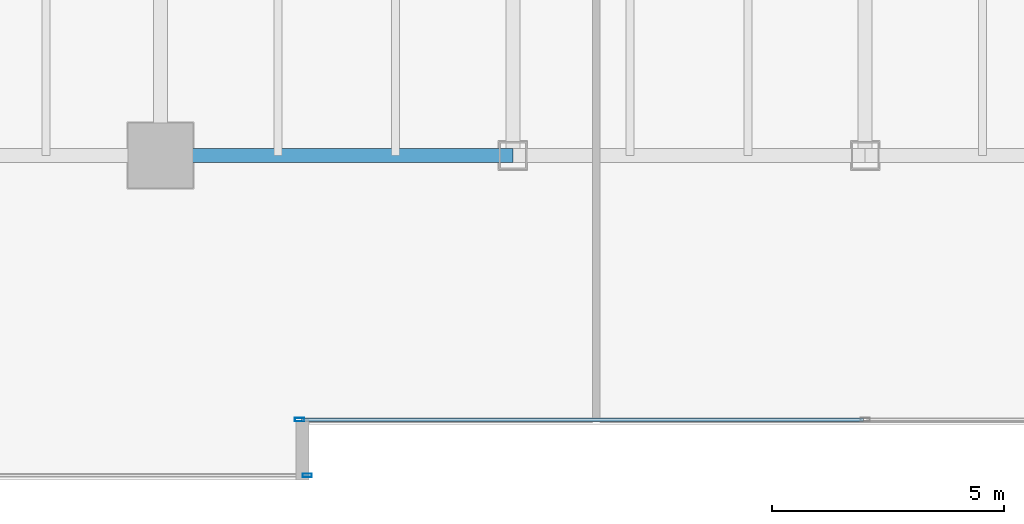
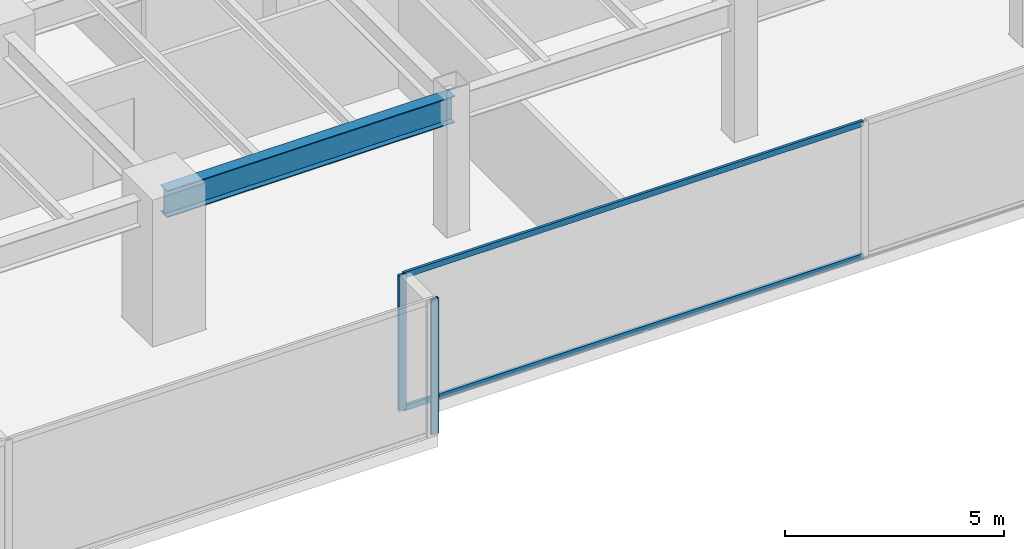
# One storey, part 4 of 37: 4 members, 1 beam, 2 elements without a shape of their own.
"""IFC4 building model written with IfcOpenShell, lengths in metres."""

from ifc_helpers import new_model, si_unit, direction, frame, origin, origin_2d, place, context, subcontext, project, spatial, hollow_rectangle, i_section, extrude, source, transform, mapped, material, layer, layer_set, material_profile, profile_set, type_object, type_shapes, element, aggregate, save


model = new_model("IFC4")

# Units and contexts
model_context = context("Model", 3, precision=1e-05, world=origin(), true_north=direction((0.0, 1.0)))
body_context = subcontext(model_context, "Body", "Model", "MODEL_VIEW")
ifc_project = project(units=[si_unit("LENGTHUNIT", "METRE"), si_unit("AREAUNIT", "SQUARE_METRE"), si_unit("VOLUMEUNIT", "CUBIC_METRE"), si_unit("PLANEANGLEUNIT", "RADIAN"), si_unit("MASSUNIT", "GRAM", prefix="KILO")], contexts=[model_context])

# Site, building, storey
site_placement = place(None, origin())
site = spatial("IfcSite", under=ifc_project, at=site_placement, CompositionType="ELEMENT")
building_placement = place(site_placement, origin())
building = spatial("IfcBuilding", under=site, at=building_placement, Name="Haelvirn Gate Laboratories", CompositionType="ELEMENT")
storey_placement = place(building_placement, frame((0.0, 0.0, 78.5)))
storey = spatial("IfcBuildingStorey", under=building, at=storey_placement, Name="L19", CompositionType="ELEMENT", Elevation=78.5)

# Beam
ifc_material_1 = material(Name="Steel SM355", Category="steel")
ifc_material_profile_1 = material_profile(ifc_material_1, i_section(OverallWidth=0.300048828125, OverallDepth=0.75, WebThickness=0.013916015625, FlangeThickness=0.02392578125, at=origin_2d()), Name="H-750x300x14x24")
ifc_profile_set_1 = profile_set([ifc_material_profile_1], Name="Steel SM355")
beam_type = type_object("IfcBeamType", Name="BM-G-750", PredefinedType="BEAM", material=ifc_profile_set_1)
shared_shape_1 = source(origin(), body_context, "Body", "SweptSolid", [
    extrude(i_section(OverallWidth=0.300048828125, OverallDepth=0.75, WebThickness=0.013916015625, FlangeThickness=0.02392578125, at=origin_2d()), origin(), (0.0, 0.0, 1.0), 7.60009765625),
])
type_shapes(beam_type, [shared_shape_1])
beam_placement = place(storey_placement, frame((22.199951171875, 7.0, 3.405029296875), z_axis=(1.0, 0.0, 0.0), x_axis=(0.0, 1.0, 0.0)))
element("IfcBeam", 1, at=beam_placement, inside=storey, type_object=beam_type, Name="L19 Primary Girder Y7.0 (22.2-29.8)", PredefinedType="BEAM", context=body_context, shape_type="MappedRepresentation", body=[
    mapped(shared_shape_1, transform((0.0, 0.0, 0.0), scale=1.0)),
])

# Curtain wall, member
ifc_material_2 = material(Name="Anodised bronze unitised aluminium & triple low-E glass", Category="aluminium")
ifc_layer = layer(ifc_material_2, 0.18408203125, Name="CW-SYS-2")
ifc_layer_set = layer_set([ifc_layer], Name="Anodised bronze unitised aluminium & triple low-E glass")
curtain_wall_type = type_object("IfcCurtainWallType", Name="CW-SYS-2", PredefinedType="NOTDEFINED", material=ifc_layer_set)
curtain_wall_1_placement = place(storey_placement, origin())
curtain_wall_1 = element("IfcCurtainWall", 2, at=curtain_wall_1_placement, inside=storey, type_object=curtain_wall_type, Name="L19 Unitised Curtain Wall CW-L19-P0-E00-1", PredefinedType="NOTDEFINED")
ifc_material_3 = material(Name="Extruded aluminium 6063-T6 (anodised bronze)", Category="aluminium")
ifc_material_profile_2 = material_profile(ifc_material_3, hollow_rectangle(XDim=0.074951171875, YDim=0.199951171875, WallThickness=0.0048828125, at=origin_2d()), Name="CWM-200x75x5")
ifc_profile_set_2 = profile_set([ifc_material_profile_2], Name="Extruded aluminium 6063-T6 (anodised bronze)")
member_type_1 = type_object("IfcMemberType", Name="CWM-T200", PredefinedType="MULLION", material=ifc_profile_set_2)
shared_shape_2 = source(origin(), body_context, "Body", "SweptSolid", [
    extrude(hollow_rectangle(XDim=0.074951171875, YDim=0.199951171875, WallThickness=0.0048828125, at=origin_2d()), origin(), (0.0, 0.0, 1.0), 3.780029296875),
])
type_shapes(member_type_1, [shared_shape_2])
member_1_placement = place(storey_placement, frame((25.362548828125, 0.10009765625, 0.0), z_axis=(0.0, 0.0, 1.0), x_axis=(0.0, 1.0, 0.0)))
member_1 = element("IfcMember", 3, at=member_1_placement, type_object=member_type_1, Name="CW2 mullion 3", PredefinedType="MULLION", context=body_context, shape_type="MappedRepresentation", body=[
    mapped(shared_shape_2, transform((0.0, 0.0, 0.0), scale=1.0)),
])
aggregate(curtain_wall_1, [member_1])

# Curtain wall, members
curtain_wall_2_placement = place(storey_placement, origin())
curtain_wall_2 = element("IfcCurtainWall", 4, at=curtain_wall_2_placement, inside=storey, type_object=curtain_wall_type, Name="L19 Unitised Curtain Wall CW-L19-P0-E02-1", PredefinedType="NOTDEFINED")
member_2_placement = place(storey_placement, frame((25.197509765625, 1.300048828125, 0.0), z_axis=(0.0, 0.0, 1.0), x_axis=(0.0, 1.0, 0.0)))
member_2 = element("IfcMember", 5, at=member_2_placement, type_object=member_type_1, Name="CW2 mullion 1", PredefinedType="MULLION", context=body_context, shape_type="MappedRepresentation", body=[
    mapped(shared_shape_2, transform((0.0, 0.0, 0.0), scale=1.0)),
])
ifc_material_profile_3 = material_profile(ifc_material_3, hollow_rectangle(XDim=0.070068359375, YDim=0.159912109375, WallThickness=0.0048828125, at=origin_2d()), Name="CWT-160x70x5")
ifc_profile_set_3 = profile_set([ifc_material_profile_3], Name="Extruded aluminium 6063-T6 (anodised bronze)")
member_type_2 = type_object("IfcMemberType", Name="CWT-T160", PredefinedType="USERDEFINED", material=ifc_profile_set_3)
shared_shape_3 = source(origin(), body_context, "Body", "SweptSolid", [
    extrude(hollow_rectangle(XDim=0.070068359375, YDim=0.159912109375, WallThickness=0.0048828125, at=origin_2d()), origin(), (0.0, 0.0, 1.0), 12.12744140625),
])
type_shapes(member_type_2, [shared_shape_3])
member_3_placement = place(storey_placement, frame((25.235107421875, 1.300048828125, 0.034912109375), z_axis=(1.0, 0.0, 0.0), x_axis=(0.0, 1.0, 0.0)))
member_3 = element("IfcMember", 6, at=member_3_placement, type_object=member_type_2, Name="CW2 transom 1.1", ObjectType="TRANSOM", PredefinedType="USERDEFINED", context=body_context, shape_type="MappedRepresentation", body=[
    mapped(shared_shape_3, transform((0.0, 0.0, 0.0), scale=1.0)),
])
member_4_placement = place(storey_placement, frame((25.235107421875, 1.300048828125, 3.7451171875), z_axis=(1.0, 0.0, 0.0), x_axis=(0.0, 1.0, 0.0)))
member_4 = element("IfcMember", 7, at=member_4_placement, type_object=member_type_2, Name="CW2 transom 1.2", ObjectType="TRANSOM", PredefinedType="USERDEFINED", context=body_context, shape_type="MappedRepresentation", body=[
    mapped(shared_shape_3, transform((0.0, 0.0, 0.0), scale=1.0)),
])
aggregate(curtain_wall_2, [member_2, member_3, member_4])

save(model, "model.ifc")
